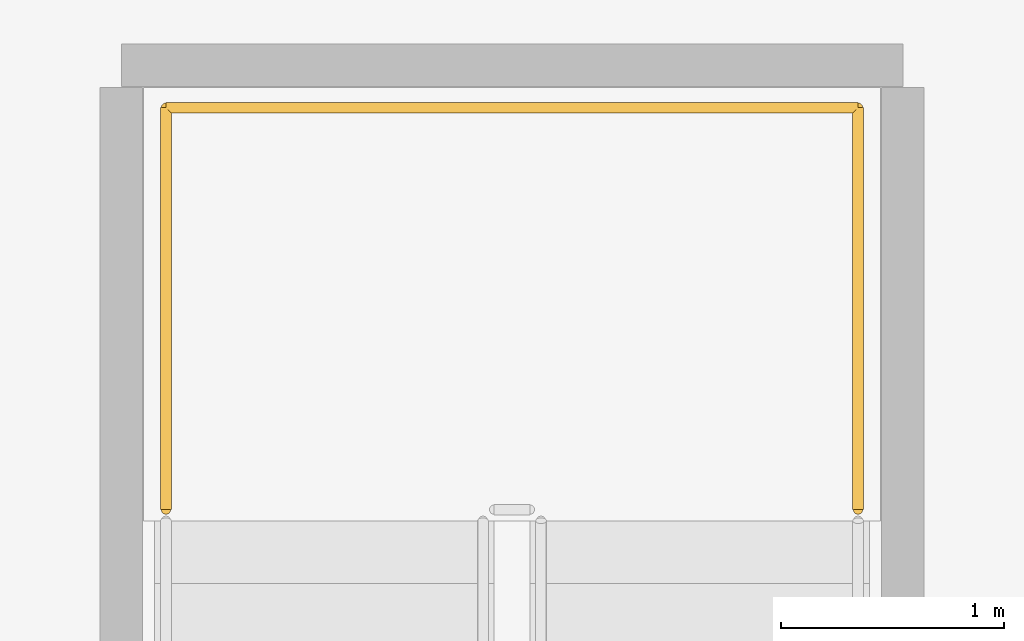
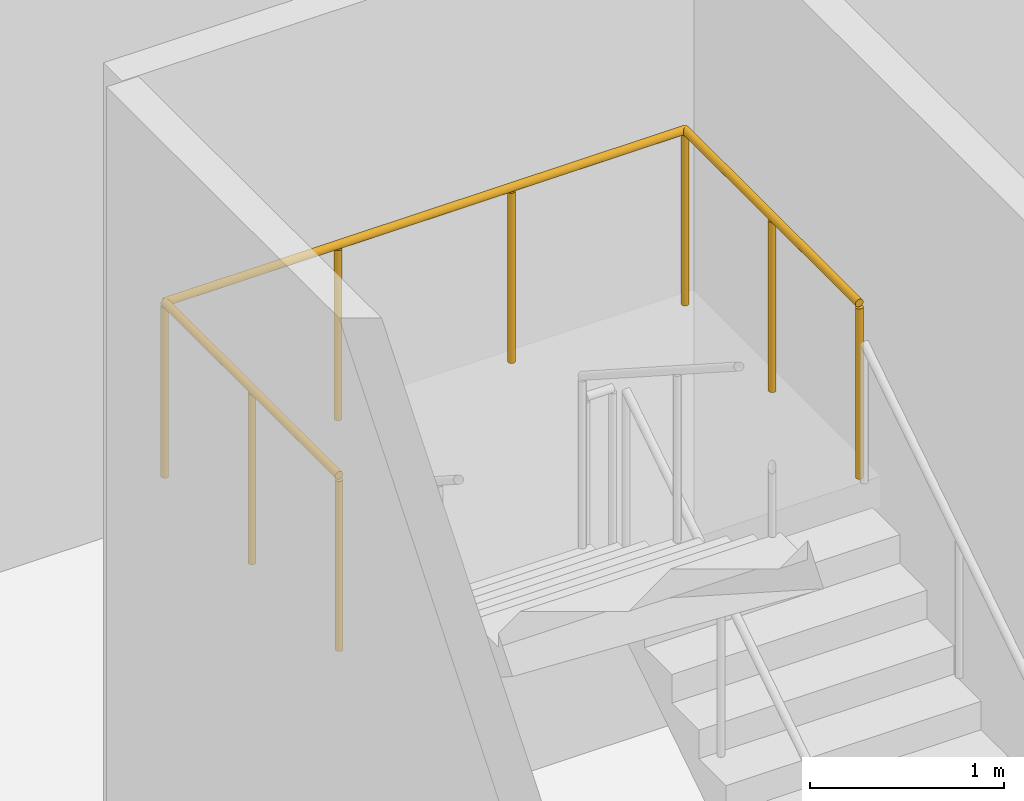
# One storey, part 118 of 140: 1 railing.
"""IFC4 building model written with IfcOpenShell, lengths in metres."""

from ifc_helpers import new_model, si_unit, direction, frame, origin, origin_2d, place, context, subcontext, project, spatial, circle, extrude, material, type_object, element, save


model = new_model("IFC4")

# Units and contexts
model_context = context("Model", 3, precision=1e-05, world=origin(), true_north=direction((0.0, 1.0)))
body_context = subcontext(model_context, "Body", "Model", "MODEL_VIEW")
ifc_project = project(units=[si_unit("LENGTHUNIT", "METRE"), si_unit("AREAUNIT", "SQUARE_METRE"), si_unit("VOLUMEUNIT", "CUBIC_METRE"), si_unit("PLANEANGLEUNIT", "RADIAN"), si_unit("MASSUNIT", "GRAM", prefix="KILO")], contexts=[model_context])

# Site, building, storey
site_placement = place(None, origin())
site = spatial("IfcSite", under=ifc_project, at=site_placement, CompositionType="ELEMENT")
building_placement = place(site_placement, origin())
building = spatial("IfcBuilding", under=site, at=building_placement, Name="Telukmera Botanical Conservatory", CompositionType="ELEMENT")
storey_placement = place(building_placement, origin())
storey = spatial("IfcBuildingStorey", under=building, at=storey_placement, Name="L00", CompositionType="ELEMENT", Elevation=0.0)

# Railing
ifc_material = material(Name="Steel S355", Category="steel")
railing_type = type_object("IfcRailingType", Name="RL-GUARD-1100", PredefinedType="GUARDRAIL", material=ifc_material)
railing_placement = place(storey_placement, frame((130.14990234375, 23.85009765625, 2.699951171875)))
element("IfcRailing", 1, at=railing_placement, inside=storey, type_object=railing_type, Name="L00 ST5 half-landing perimeter guard 1", PredefinedType="GUARDRAIL", context=body_context, shape_type="SweptSolid", body=[
    extrude(circle(Radius=0.02392578125, at=origin_2d()), frame((0.0, 0.0, 1.09619140625), z_axis=(0.0, 1.0, 0.0), x_axis=(-1.0, 0.0, 0.0)), (0.0, 0.0, 1.0), 1.7998046875),
    extrude(circle(Radius=0.02392578125, at=origin_2d()), frame((0.0, 1.7998046875, 1.09619140625), z_axis=(-1.0, 0.0, 0.0), x_axis=(0.0, -1.0, 0.0)), (0.0, 0.0, 1.0), 3.099853515625),
    extrude(circle(Radius=0.02392578125, at=origin_2d()), frame((-3.099853515625, 1.7998046875, 1.09619140625), z_axis=(0.0, -1.0, 0.0), x_axis=(1.0, 0.0, 0.0)), (0.0, 0.0, 1.0), 1.7998046875),
    extrude(circle(Radius=0.02099609375, at=origin_2d()), origin(), (0.0, 0.0, 1.0), 1.072021484375),
    extrude(circle(Radius=0.02099609375, at=origin_2d()), frame((0.0, 0.89990234375, 0.0)), (0.0, 0.0, 1.0), 1.072021484375),
    extrude(circle(Radius=0.02099609375, at=origin_2d()), frame((0.0, 1.7998046875, 0.0)), (0.0, 0.0, 1.0), 1.072021484375),
    extrude(circle(Radius=0.02099609375, at=origin_2d()), frame((-1.033203125, 1.7998046875, 0.0)), (0.0, 0.0, 1.0), 1.072021484375),
    extrude(circle(Radius=0.02099609375, at=origin_2d()), frame((-2.066650390625, 1.7998046875, 0.0)), (0.0, 0.0, 1.0), 1.072021484375),
    extrude(circle(Radius=0.02099609375, at=origin_2d()), frame((-3.099853515625, 1.7998046875, 0.0)), (0.0, 0.0, 1.0), 1.072021484375),
    extrude(circle(Radius=0.02099609375, at=origin_2d()), frame((-3.099853515625, 0.89990234375, 0.0)), (0.0, 0.0, 1.0), 1.072021484375),
    extrude(circle(Radius=0.02099609375, at=origin_2d()), frame((-3.099853515625, 0.0, 0.0)), (0.0, 0.0, 1.0), 1.072021484375),
])

save(model, "model.ifc")
